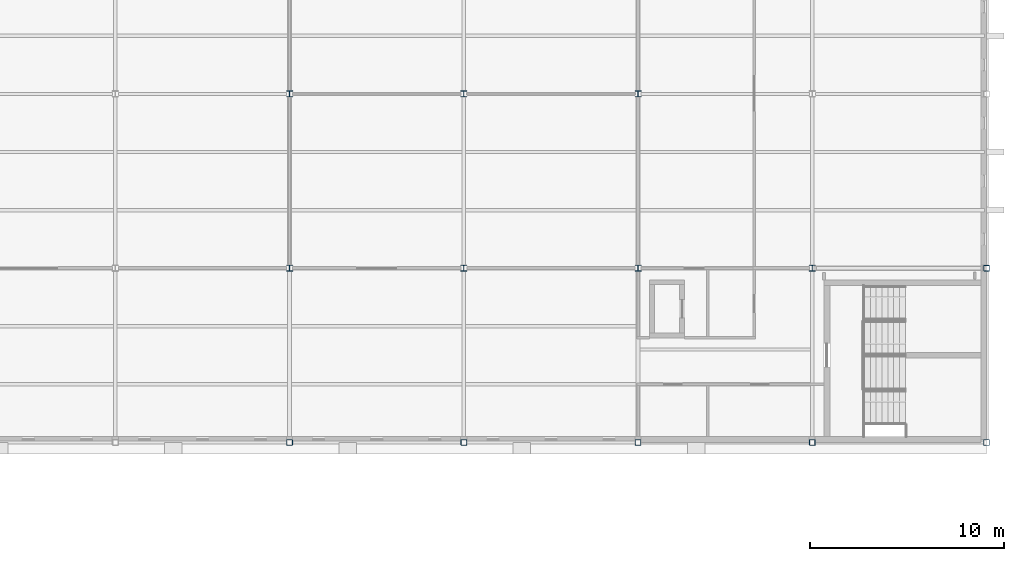
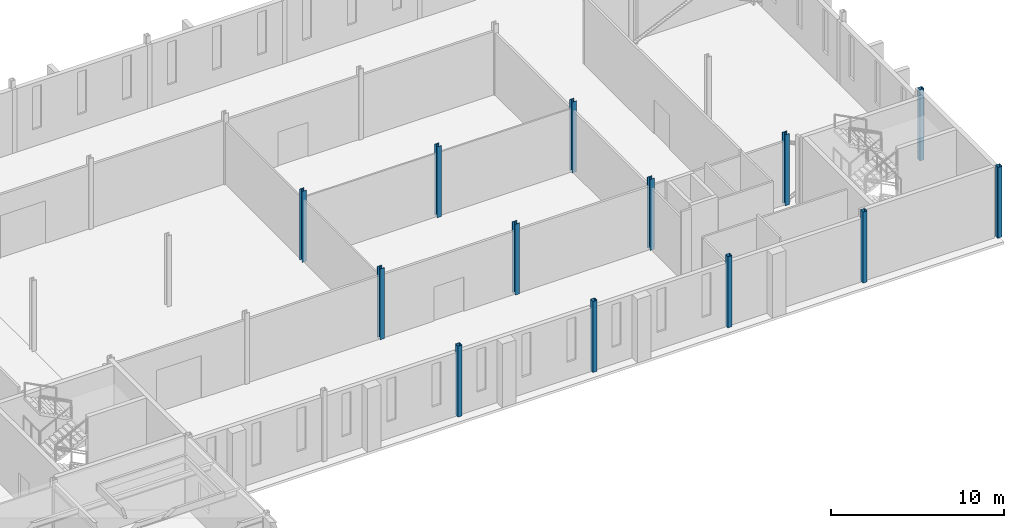
# One storey, part 15 of 115: 13 columns.
"""IFC4 building model written with IfcOpenShell, lengths in metres."""

from ifc_helpers import new_model, si_unit, direction, frame, origin, origin_2d, place, context, subcontext, project, spatial, hollow_rectangle, i_section, extrude, material, material_profile, profile_set, type_object, element, save


model = new_model("IFC4")

# Units and contexts
model_context = context("Model", 3, precision=1e-05, world=origin(), true_north=direction((0.0, 1.0)))
body_context = subcontext(model_context, "Body", "Model", "MODEL_VIEW")
ifc_project = project(units=[si_unit("LENGTHUNIT", "METRE"), si_unit("AREAUNIT", "SQUARE_METRE"), si_unit("VOLUMEUNIT", "CUBIC_METRE"), si_unit("PLANEANGLEUNIT", "RADIAN"), si_unit("MASSUNIT", "GRAM", prefix="KILO")], contexts=[model_context])

# Site, building, storey
site_placement = place(None, origin())
site = spatial("IfcSite", under=ifc_project, at=site_placement, CompositionType="ELEMENT")
building_placement = place(site_placement, origin())
building = spatial("IfcBuilding", under=site, at=building_placement, Name="Shorebreak Coast Museum", CompositionType="ELEMENT")
storey_placement = place(building_placement, frame((0.0, 0.0, 11.0)))
storey = spatial("IfcBuildingStorey", under=building, at=storey_placement, Name="L02", CompositionType="ELEMENT", Elevation=11.0)

# Columns
ifc_material_1 = material(Name="Steel Grade C450L0", Category="steel")
ifc_material_profile_1 = material_profile(ifc_material_1, hollow_rectangle(XDim=0.300048828125, YDim=0.300048828125, WallThickness=0.012451171875, InnerFilletRadius=0.018798828125, OuterFilletRadius=0.03125, at=origin_2d()), Name="300x300x12.5 SHS")
ifc_profile_set_1 = profile_set([ifc_material_profile_1], Name="Steel Grade C450L0")
column_type_1 = type_object("IfcColumnType", Name="Column 300x300x12.5 SHS", PredefinedType="COLUMN", material=ifc_profile_set_1)
for number, where, z_axis, x_axis, name in (
    (1, (135.0, 54.0, 0.0), (0.0, 0.0, 1.0), (1.0, 0.0, 0.0), "Column L02 16G"),
    (2, (144.0, 54.0, 0.0), (0.0, 0.0, 1.0), (1.0, 0.0, 0.0), "Column L02 17G"),
    (3, (153.0, 54.0, 0.0), (0.0, 0.0, 1.0), (1.0, 0.0, 0.0), "Column L02 18G"),
    (4, (162.0, 54.0, 0.0), (0.0, 0.0, 1.0), (1.0, 0.0, 0.0), "Column L02 19G"),
    (5, (171.0, 54.0, 0.0), (0.0, 0.0, 1.0), (1.0, 0.0, 0.0), "Column L02 20G"),
    (6, (171.0, 63.0, 0.0), (0.0, 0.0, 1.0), (1.0, 0.0, 0.0), "Column L02 20H"),
):
    element("IfcColumn", number, at=place(storey_placement, frame(where, z_axis=z_axis, x_axis=x_axis)), inside=storey, type_object=column_type_1, Name=name, PredefinedType="COLUMN", context=body_context, shape_type="SweptSolid", body=[
        extrude(hollow_rectangle(XDim=0.300048828125, YDim=0.300048828125, WallThickness=0.012451171875, InnerFilletRadius=0.018798828125, OuterFilletRadius=0.03125, at=origin_2d()), origin(), (0.0, 0.0, 1.0), 5.0),
    ])
ifc_material_2 = material(Name="Steel Grade 300", Category="steel")
ifc_material_profile_2 = material_profile(ifc_material_2, i_section(OverallWidth=0.306884765625, OverallDepth=0.314697265625, WebThickness=0.011962890625, FlangeThickness=0.018798828125, FilletRadius=0.0166015625, at=origin_2d()), Name="310UC118")
ifc_profile_set_2 = profile_set([ifc_material_profile_2], Name="Steel Grade 300")
column_type_2 = type_object("IfcColumnType", Name="Column 310UC118", PredefinedType="COLUMN", material=ifc_profile_set_2)
for number, where, z_axis, x_axis, name in (
    (7, (135.0, 63.0, 0.0), (0.0, 0.0, 1.0), (1.0, 0.0, 0.0), "Column L02 16H"),
    (8, (144.0, 63.0, 0.0), (0.0, 0.0, 1.0), (1.0, 0.0, 0.0), "Column L02 17H"),
    (9, (153.0, 63.0, 0.0), (0.0, 0.0, 1.0), (1.0, 0.0, 0.0), "Column L02 18H"),
    (10, (162.0, 63.0, 0.0), (0.0, 0.0, 1.0), (1.0, 0.0, 0.0), "Column L02 19H"),
    (11, (135.0, 72.0, 0.0), (0.0, 0.0, 1.0), (1.0, 0.0, 0.0), "Column L02 16J"),
    (12, (144.0, 72.0, 0.0), (0.0, 0.0, 1.0), (1.0, 0.0, 0.0), "Column L02 17J"),
    (13, (153.0, 72.0, 0.0), (0.0, 0.0, 1.0), (1.0, 0.0, 0.0), "Column L02 18J"),
):
    element("IfcColumn", number, at=place(storey_placement, frame(where, z_axis=z_axis, x_axis=x_axis)), inside=storey, type_object=column_type_2, Name=name, PredefinedType="COLUMN", context=body_context, shape_type="SweptSolid", body=[
        extrude(i_section(OverallWidth=0.306884765625, OverallDepth=0.314697265625, WebThickness=0.011962890625, FlangeThickness=0.018798828125, FilletRadius=0.0166015625, at=origin_2d()), origin(), (0.0, 0.0, 1.0), 5.0),
    ])

save(model, "model.ifc")
